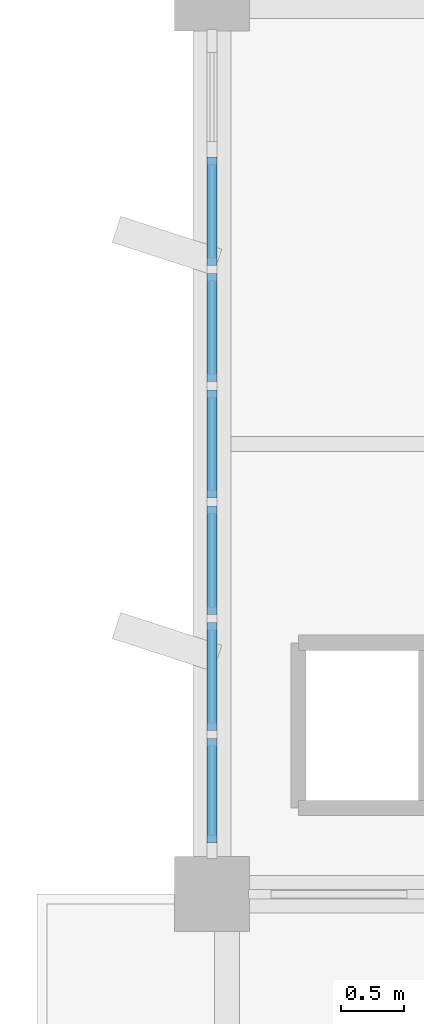
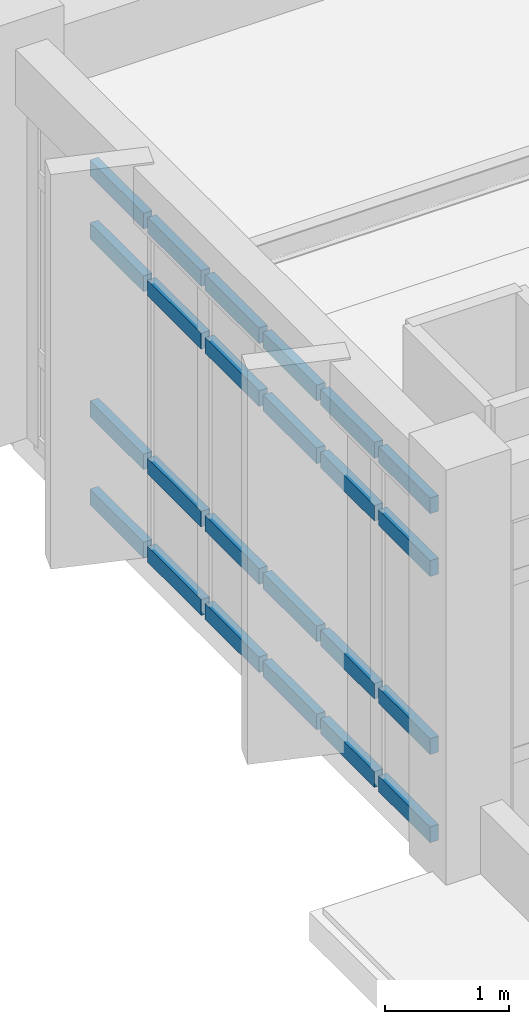
# One storey, part 28 of 62: 24 members, 1 element without a shape of its own.
"""IFC4 building model written with IfcOpenShell, lengths in metres."""

from ifc_helpers import new_model, si_unit, direction, frame, origin, origin_2d, place, context, subcontext, project, spatial, rectangle, extrude, material, layer, layer_set, material_profile, profile_set, type_object, element, aggregate, save


model = new_model("IFC4")

# Units and contexts
model_context = context("Model", 3, precision=1e-05, world=origin(), true_north=direction((0.0, 1.0)))
body_context = subcontext(model_context, "Body", "Model", "MODEL_VIEW")
ifc_project = project(units=[si_unit("LENGTHUNIT", "METRE"), si_unit("AREAUNIT", "SQUARE_METRE"), si_unit("VOLUMEUNIT", "CUBIC_METRE"), si_unit("PLANEANGLEUNIT", "RADIAN"), si_unit("MASSUNIT", "GRAM", prefix="KILO")], contexts=[model_context])

# Site, building, storey
site_placement = place(None, origin())
site = spatial("IfcSite", under=ifc_project, at=site_placement, CompositionType="ELEMENT")
building_placement = place(site_placement, origin())
building = spatial("IfcBuilding", under=site, at=building_placement, Name="Kavelor Marine Aquarium", CompositionType="ELEMENT")
storey_placement = place(building_placement, frame((0.0, 0.0, 13.5)))
storey = spatial("IfcBuildingStorey", under=building, at=storey_placement, Name="L03", CompositionType="ELEMENT", Elevation=13.5)

# Curtain wall, members
ifc_material_1 = material(Name="Thermally Broken Aluminium and Low-E Glass", Category="aluminium")
ifc_layer = layer(ifc_material_1, 0.156005859375)
ifc_layer_set = layer_set([ifc_layer], Name="CW-SYS2")
curtain_wall_type = type_object("IfcCurtainWallType", Name="CW-SYS2", PredefinedType="USERDEFINED", material=ifc_layer_set)
curtain_wall_placement = place(storey_placement, origin())
curtain_wall = element("IfcCurtainWall", 1, at=curtain_wall_placement, inside=storey, type_object=curtain_wall_type, Name="cw:y:L03:16_08", ObjectType="Curtain Wall", PredefinedType="USERDEFINED")
ifc_material_2 = material(Name="Anodised Aluminium Alloy 6063-T6", Category="aluminium")
ifc_material_profile = material_profile(ifc_material_2, rectangle(XDim=0.080078125, YDim=0.155029296875, at=origin_2d()), Name="CW-TRN 80x155")
ifc_profile_set = profile_set([ifc_material_profile], Name="Anodised Aluminium Alloy 6063-T6")
member_type = type_object("IfcMemberType", Name="CWT-2", PredefinedType="USERDEFINED", material=ifc_profile_set)
member_1_placement = place(storey_placement, frame((118.39990234375, 66.29248046875, 0.032470703125), z_axis=(0.0, -1.0, 0.0), x_axis=(1.0, 0.0, 0.0)))
member_1 = element("IfcMember", 2, at=member_1_placement, type_object=member_type, Name="CW02 transom 2.1", ObjectType="TRANSOM", PredefinedType="USERDEFINED", context=body_context, shape_type="SweptSolid", body=[
    extrude(rectangle(XDim=0.080078125, YDim=0.155029296875, at=origin_2d()), origin(), (0.0, 0.0, 1.0), 0.864990234375),
])
member_2_placement = place(storey_placement, frame((118.39990234375, 66.29248046875, 0.89990234375), z_axis=(0.0, -1.0, 0.0), x_axis=(1.0, 0.0, 0.0)))
member_2 = element("IfcMember", 3, at=member_2_placement, type_object=member_type, Name="CW02 transom 2.2", ObjectType="TRANSOM", PredefinedType="USERDEFINED", context=body_context, shape_type="SweptSolid", body=[
    extrude(rectangle(XDim=0.080078125, YDim=0.155029296875, at=origin_2d()), origin(), (0.0, 0.0, 1.0), 0.864990234375),
])
member_3_placement = place(storey_placement, frame((118.39990234375, 66.29248046875, 2.64990234375), z_axis=(0.0, -1.0, 0.0), x_axis=(1.0, 0.0, 0.0)))
member_3 = element("IfcMember", 4, at=member_3_placement, type_object=member_type, Name="CW02 transom 2.3", ObjectType="TRANSOM", PredefinedType="USERDEFINED", context=body_context, shape_type="SweptSolid", body=[
    extrude(rectangle(XDim=0.080078125, YDim=0.155029296875, at=origin_2d()), origin(), (0.0, 0.0, 1.0), 0.864990234375),
])
member_4_placement = place(storey_placement, frame((118.39990234375, 66.29248046875, 3.267578125), z_axis=(0.0, -1.0, 0.0), x_axis=(1.0, 0.0, 0.0)))
member_4 = element("IfcMember", 5, at=member_4_placement, type_object=member_type, Name="CW02 transom 2.4", ObjectType="TRANSOM", PredefinedType="USERDEFINED", context=body_context, shape_type="SweptSolid", body=[
    extrude(rectangle(XDim=0.080078125, YDim=0.155029296875, at=origin_2d()), origin(), (0.0, 0.0, 1.0), 0.864990234375),
])
member_5_placement = place(storey_placement, frame((118.39990234375, 65.362548828125, 0.032470703125), z_axis=(0.0, -1.0, 0.0), x_axis=(1.0, 0.0, 0.0)))
member_5 = element("IfcMember", 6, at=member_5_placement, type_object=member_type, Name="CW02 transom 3.1", ObjectType="TRANSOM", PredefinedType="USERDEFINED", context=body_context, shape_type="SweptSolid", body=[
    extrude(rectangle(XDim=0.080078125, YDim=0.155029296875, at=origin_2d()), origin(), (0.0, 0.0, 1.0), 0.864990234375),
])
member_6_placement = place(storey_placement, frame((118.39990234375, 65.362548828125, 0.89990234375), z_axis=(0.0, -1.0, 0.0), x_axis=(1.0, 0.0, 0.0)))
member_6 = element("IfcMember", 7, at=member_6_placement, type_object=member_type, Name="CW02 transom 3.2", ObjectType="TRANSOM", PredefinedType="USERDEFINED", context=body_context, shape_type="SweptSolid", body=[
    extrude(rectangle(XDim=0.080078125, YDim=0.155029296875, at=origin_2d()), origin(), (0.0, 0.0, 1.0), 0.864990234375),
])
member_7_placement = place(storey_placement, frame((118.39990234375, 65.362548828125, 2.64990234375), z_axis=(0.0, -1.0, 0.0), x_axis=(1.0, 0.0, 0.0)))
member_7 = element("IfcMember", 8, at=member_7_placement, type_object=member_type, Name="CW02 transom 3.3", ObjectType="TRANSOM", PredefinedType="USERDEFINED", context=body_context, shape_type="SweptSolid", body=[
    extrude(rectangle(XDim=0.080078125, YDim=0.155029296875, at=origin_2d()), origin(), (0.0, 0.0, 1.0), 0.864990234375),
])
member_8_placement = place(storey_placement, frame((118.39990234375, 65.362548828125, 3.267578125), z_axis=(0.0, -1.0, 0.0), x_axis=(1.0, 0.0, 0.0)))
member_8 = element("IfcMember", 9, at=member_8_placement, type_object=member_type, Name="CW02 transom 3.4", ObjectType="TRANSOM", PredefinedType="USERDEFINED", context=body_context, shape_type="SweptSolid", body=[
    extrude(rectangle(XDim=0.080078125, YDim=0.155029296875, at=origin_2d()), origin(), (0.0, 0.0, 1.0), 0.864990234375),
])
member_9_placement = place(storey_placement, frame((118.39990234375, 64.4326171875, 0.032470703125), z_axis=(0.0, -1.0, 0.0), x_axis=(1.0, 0.0, 0.0)))
member_9 = element("IfcMember", 10, at=member_9_placement, type_object=member_type, Name="CW02 transom 4.1", ObjectType="TRANSOM", PredefinedType="USERDEFINED", context=body_context, shape_type="SweptSolid", body=[
    extrude(rectangle(XDim=0.080078125, YDim=0.155029296875, at=origin_2d()), origin(), (0.0, 0.0, 1.0), 0.865234375),
])
member_10_placement = place(storey_placement, frame((118.39990234375, 64.4326171875, 0.89990234375), z_axis=(0.0, -1.0, 0.0), x_axis=(1.0, 0.0, 0.0)))
member_10 = element("IfcMember", 11, at=member_10_placement, type_object=member_type, Name="CW02 transom 4.2", ObjectType="TRANSOM", PredefinedType="USERDEFINED", context=body_context, shape_type="SweptSolid", body=[
    extrude(rectangle(XDim=0.080078125, YDim=0.155029296875, at=origin_2d()), origin(), (0.0, 0.0, 1.0), 0.865234375),
])
member_11_placement = place(storey_placement, frame((118.39990234375, 64.4326171875, 2.64990234375), z_axis=(0.0, -1.0, 0.0), x_axis=(1.0, 0.0, 0.0)))
member_11 = element("IfcMember", 12, at=member_11_placement, type_object=member_type, Name="CW02 transom 4.3", ObjectType="TRANSOM", PredefinedType="USERDEFINED", context=body_context, shape_type="SweptSolid", body=[
    extrude(rectangle(XDim=0.080078125, YDim=0.155029296875, at=origin_2d()), origin(), (0.0, 0.0, 1.0), 0.865234375),
])
member_12_placement = place(storey_placement, frame((118.39990234375, 64.4326171875, 3.267578125), z_axis=(0.0, -1.0, 0.0), x_axis=(1.0, 0.0, 0.0)))
member_12 = element("IfcMember", 13, at=member_12_placement, type_object=member_type, Name="CW02 transom 4.4", ObjectType="TRANSOM", PredefinedType="USERDEFINED", context=body_context, shape_type="SweptSolid", body=[
    extrude(rectangle(XDim=0.080078125, YDim=0.155029296875, at=origin_2d()), origin(), (0.0, 0.0, 1.0), 0.865234375),
])
member_13_placement = place(storey_placement, frame((118.39990234375, 63.50244140625, 0.032470703125), z_axis=(0.0, -1.0, 0.0), x_axis=(1.0, 0.0, 0.0)))
member_13 = element("IfcMember", 14, at=member_13_placement, type_object=member_type, Name="CW02 transom 5.1", ObjectType="TRANSOM", PredefinedType="USERDEFINED", context=body_context, shape_type="SweptSolid", body=[
    extrude(rectangle(XDim=0.080078125, YDim=0.155029296875, at=origin_2d()), origin(), (0.0, 0.0, 1.0), 0.864990234375),
])
member_14_placement = place(storey_placement, frame((118.39990234375, 63.50244140625, 0.89990234375), z_axis=(0.0, -1.0, 0.0), x_axis=(1.0, 0.0, 0.0)))
member_14 = element("IfcMember", 15, at=member_14_placement, type_object=member_type, Name="CW02 transom 5.2", ObjectType="TRANSOM", PredefinedType="USERDEFINED", context=body_context, shape_type="SweptSolid", body=[
    extrude(rectangle(XDim=0.080078125, YDim=0.155029296875, at=origin_2d()), origin(), (0.0, 0.0, 1.0), 0.864990234375),
])
member_15_placement = place(storey_placement, frame((118.39990234375, 63.50244140625, 2.64990234375), z_axis=(0.0, -1.0, 0.0), x_axis=(1.0, 0.0, 0.0)))
member_15 = element("IfcMember", 16, at=member_15_placement, type_object=member_type, Name="CW02 transom 5.3", ObjectType="TRANSOM", PredefinedType="USERDEFINED", context=body_context, shape_type="SweptSolid", body=[
    extrude(rectangle(XDim=0.080078125, YDim=0.155029296875, at=origin_2d()), origin(), (0.0, 0.0, 1.0), 0.864990234375),
])
member_16_placement = place(storey_placement, frame((118.39990234375, 63.50244140625, 3.267578125), z_axis=(0.0, -1.0, 0.0), x_axis=(1.0, 0.0, 0.0)))
member_16 = element("IfcMember", 17, at=member_16_placement, type_object=member_type, Name="CW02 transom 5.4", ObjectType="TRANSOM", PredefinedType="USERDEFINED", context=body_context, shape_type="SweptSolid", body=[
    extrude(rectangle(XDim=0.080078125, YDim=0.155029296875, at=origin_2d()), origin(), (0.0, 0.0, 1.0), 0.864990234375),
])
member_17_placement = place(storey_placement, frame((118.39990234375, 62.572509765625, 0.032470703125), z_axis=(0.0, -1.0, 0.0), x_axis=(1.0, 0.0, 0.0)))
member_17 = element("IfcMember", 18, at=member_17_placement, type_object=member_type, Name="CW02 transom 6.1", ObjectType="TRANSOM", PredefinedType="USERDEFINED", context=body_context, shape_type="SweptSolid", body=[
    extrude(rectangle(XDim=0.080078125, YDim=0.155029296875, at=origin_2d()), origin(), (0.0, 0.0, 1.0), 0.864990234375),
])
member_18_placement = place(storey_placement, frame((118.39990234375, 62.572509765625, 0.89990234375), z_axis=(0.0, -1.0, 0.0), x_axis=(1.0, 0.0, 0.0)))
member_18 = element("IfcMember", 19, at=member_18_placement, type_object=member_type, Name="CW02 transom 6.2", ObjectType="TRANSOM", PredefinedType="USERDEFINED", context=body_context, shape_type="SweptSolid", body=[
    extrude(rectangle(XDim=0.080078125, YDim=0.155029296875, at=origin_2d()), origin(), (0.0, 0.0, 1.0), 0.864990234375),
])
member_19_placement = place(storey_placement, frame((118.39990234375, 62.572509765625, 2.64990234375), z_axis=(0.0, -1.0, 0.0), x_axis=(1.0, 0.0, 0.0)))
member_19 = element("IfcMember", 20, at=member_19_placement, type_object=member_type, Name="CW02 transom 6.3", ObjectType="TRANSOM", PredefinedType="USERDEFINED", context=body_context, shape_type="SweptSolid", body=[
    extrude(rectangle(XDim=0.080078125, YDim=0.155029296875, at=origin_2d()), origin(), (0.0, 0.0, 1.0), 0.864990234375),
])
member_20_placement = place(storey_placement, frame((118.39990234375, 62.572509765625, 3.267578125), z_axis=(0.0, -1.0, 0.0), x_axis=(1.0, 0.0, 0.0)))
member_20 = element("IfcMember", 21, at=member_20_placement, type_object=member_type, Name="CW02 transom 6.4", ObjectType="TRANSOM", PredefinedType="USERDEFINED", context=body_context, shape_type="SweptSolid", body=[
    extrude(rectangle(XDim=0.080078125, YDim=0.155029296875, at=origin_2d()), origin(), (0.0, 0.0, 1.0), 0.864990234375),
])
member_21_placement = place(storey_placement, frame((118.39990234375, 61.642578125, 0.032470703125), z_axis=(0.0, -1.0, 0.0), x_axis=(1.0, 0.0, 0.0)))
member_21 = element("IfcMember", 22, at=member_21_placement, type_object=member_type, Name="CW02 transom 7.1", ObjectType="TRANSOM", PredefinedType="USERDEFINED", context=body_context, shape_type="SweptSolid", body=[
    extrude(rectangle(XDim=0.080078125, YDim=0.155029296875, at=origin_2d()), origin(), (0.0, 0.0, 1.0), 0.83251953125),
])
member_22_placement = place(storey_placement, frame((118.39990234375, 61.642578125, 0.89990234375), z_axis=(0.0, -1.0, 0.0), x_axis=(1.0, 0.0, 0.0)))
member_22 = element("IfcMember", 23, at=member_22_placement, type_object=member_type, Name="CW02 transom 7.2", ObjectType="TRANSOM", PredefinedType="USERDEFINED", context=body_context, shape_type="SweptSolid", body=[
    extrude(rectangle(XDim=0.080078125, YDim=0.155029296875, at=origin_2d()), origin(), (0.0, 0.0, 1.0), 0.83251953125),
])
member_23_placement = place(storey_placement, frame((118.39990234375, 61.642578125, 2.64990234375), z_axis=(0.0, -1.0, 0.0), x_axis=(1.0, 0.0, 0.0)))
member_23 = element("IfcMember", 24, at=member_23_placement, type_object=member_type, Name="CW02 transom 7.3", ObjectType="TRANSOM", PredefinedType="USERDEFINED", context=body_context, shape_type="SweptSolid", body=[
    extrude(rectangle(XDim=0.080078125, YDim=0.155029296875, at=origin_2d()), origin(), (0.0, 0.0, 1.0), 0.83251953125),
])
member_24_placement = place(storey_placement, frame((118.39990234375, 61.642578125, 3.267578125), z_axis=(0.0, -1.0, 0.0), x_axis=(1.0, 0.0, 0.0)))
member_24 = element("IfcMember", 25, at=member_24_placement, type_object=member_type, Name="CW02 transom 7.4", ObjectType="TRANSOM", PredefinedType="USERDEFINED", context=body_context, shape_type="SweptSolid", body=[
    extrude(rectangle(XDim=0.080078125, YDim=0.155029296875, at=origin_2d()), origin(), (0.0, 0.0, 1.0), 0.83251953125),
])
aggregate(curtain_wall, [member_1, member_2, member_3, member_4, member_5, member_6, member_7, member_8, member_9, member_10, member_11, member_12, member_13, member_14, member_15, member_16, member_17, member_18, member_19, member_20, member_21, member_22, member_23, member_24])

save(model, "model.ifc")
